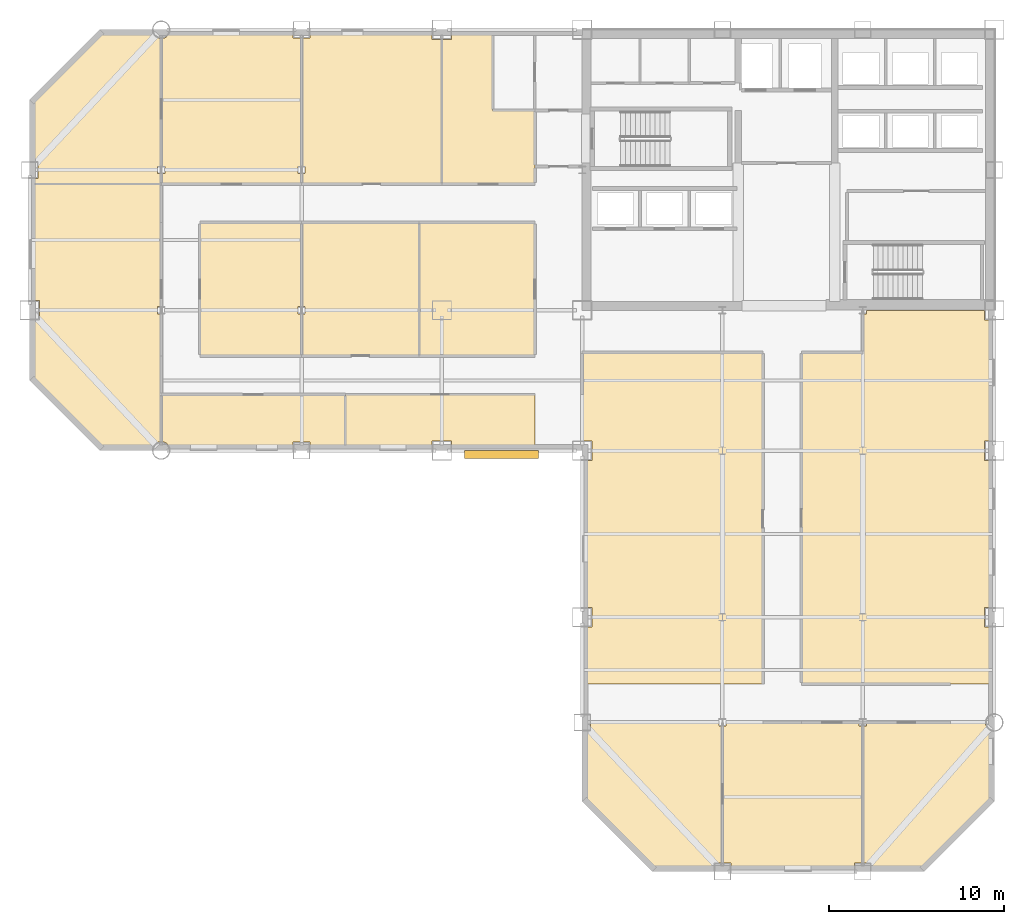
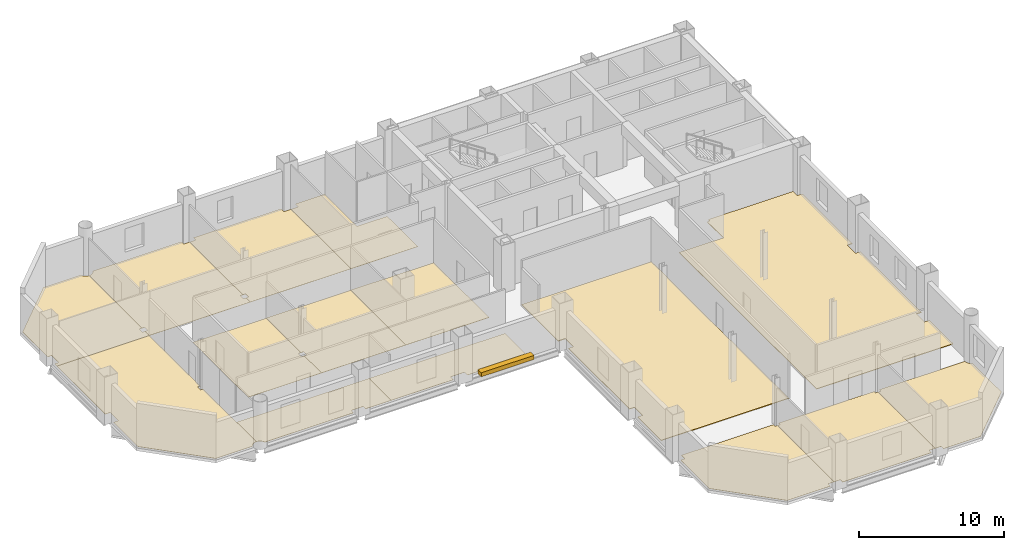
# One storey, part 9 of 10: 15 coverings, 1 shading device.
"""IFC4 building model written with IfcOpenShell, lengths in metres."""

from ifc_helpers import new_model, si_unit, direction, frame, origin, origin_2d, place, context, subcontext, project, spatial, polyline, rectangle, outline, extrude, material, layer, layer_set, type_object, element, save


model = new_model("IFC4")

# Units and contexts
model_context = context("Model", 3, precision=1e-05, world=origin(), true_north=direction((0.0, 1.0)))
body_context = subcontext(model_context, "Body", "Model", "MODEL_VIEW")
ifc_project = project(units=[si_unit("LENGTHUNIT", "METRE"), si_unit("AREAUNIT", "SQUARE_METRE"), si_unit("VOLUMEUNIT", "CUBIC_METRE"), si_unit("PLANEANGLEUNIT", "RADIAN"), si_unit("MASSUNIT", "GRAM", prefix="KILO")], contexts=[model_context])

# Site, building, storey
site_placement = place(None, origin())
site = spatial("IfcSite", under=ifc_project, at=site_placement, CompositionType="ELEMENT")
building_placement = place(site_placement, origin())
building = spatial("IfcBuilding", under=site, at=building_placement, Name="Qianrong Seaharbour Tower", CompositionType="ELEMENT")
storey_placement = place(building_placement, frame((0.0, 0.0, 139.0)))
storey = spatial("IfcBuildingStorey", under=building, at=storey_placement, Name="L33", CompositionType="ELEMENT", Elevation=139.0)

# Coverings
ifc_material_1 = material(Name="Acoustic modular carpet tile flooring")
ifc_layer_1 = layer(ifc_material_1, 0.02001953125)
ifc_layer_set_1 = layer_set([ifc_layer_1], Name="Acoustic modular carpet tile flooring")
covering_type_1 = type_object("IfcCoveringType", Name="COV-FLOOR-CARPET-20", PredefinedType="FLOORING", material=ifc_layer_set_1)
covering_1_placement = place(storey_placement, origin())
element("IfcCovering", 1, at=covering_1_placement, inside=storey, type_object=covering_type_1, Name="L33 Boardroom 1 Finish Flooring", PredefinedType="FLOORING", context=body_context, shape_type="SweptSolid", body=[
    extrude(outline(polyline([(9.1650390625, 43.514892578125), (9.485107421875, 43.514892578125), (9.485107421875, 44.485107421875), (9.1650390625, 44.485107421875), (9.1650390625, 47.931640625), (13.068359375, 51.8349609375), (16.019775390625, 51.8349609375), (16.02880859375, 51.8046875), (16.075927734375, 51.716796875), (16.139404296875, 51.639404296875), (16.216796875, 51.575927734375), (16.3046875, 51.52880859375), (16.400390625, 51.499755859375), (16.5, 51.489990234375), (16.5, 44.2099609375), (16.2900390625, 44.2099609375), (16.2900390625, 43.7900390625), (16.5, 43.7900390625), (16.5, 43.199951171875), (9.1650390625, 43.199951171875), (9.1650390625, 43.514892578125)])), origin(), (0.0, 0.0, 1.0), 0.02001953125),
])
covering_2_placement = place(storey_placement, origin())
element("IfcCovering", 2, at=covering_2_placement, inside=storey, type_object=covering_type_1, Name="L33 Meeting Room 2 Finish Flooring", PredefinedType="FLOORING", context=body_context, shape_type="SweptSolid", body=[
    extrude(outline(polyline([(16.5, 43.7900390625), (16.7099609375, 43.7900390625), (16.7099609375, 44.2099609375), (16.5, 44.2099609375), (16.5, 51.489990234375), (16.599609375, 51.499755859375), (16.6953125, 51.52880859375), (16.783203125, 51.575927734375), (16.860595703125, 51.639404296875), (16.924072265625, 51.716796875), (16.97119140625, 51.8046875), (16.980224609375, 51.8349609375), (24.014892578125, 51.8349609375), (24.014892578125, 51.514892578125), (24.5, 51.514892578125), (24.5, 44.2099609375), (24.2900390625, 44.2099609375), (24.2900390625, 43.7900390625), (24.5, 43.7900390625), (24.5, 43.199951171875), (16.5, 43.199951171875), (16.5, 43.7900390625)])), origin(), (0.0, 0.0, 1.0), 0.02001953125),
])
covering_3_placement = place(storey_placement, origin())
element("IfcCovering", 3, at=covering_3_placement, inside=storey, type_object=covering_type_1, Name="L33 Project Library 3 Finish Flooring", PredefinedType="FLOORING", context=body_context, shape_type="SweptSolid", body=[
    extrude(outline(polyline([(24.5, 43.7900390625), (24.7099609375, 43.7900390625), (24.7099609375, 44.2099609375), (24.5, 44.2099609375), (24.5, 51.514892578125), (24.985107421875, 51.514892578125), (24.985107421875, 51.8349609375), (31.93994140625, 51.8349609375), (31.93994140625, 51.43994140625), (32.5, 51.43994140625), (32.5, 43.199951171875), (24.5, 43.199951171875), (24.5, 43.7900390625)])), origin(), (0.0, 0.0, 1.0), 0.02001953125),
])
covering_4_placement = place(storey_placement, origin())
element("IfcCovering", 4, at=covering_4_placement, inside=storey, type_object=covering_type_1, Name="L33 Training Seminar Room 4 Finish Flooring", PredefinedType="FLOORING", context=body_context, shape_type="SweptSolid", body=[
    extrude(outline(polyline([(32.5, 51.43994140625), (33.06005859375, 51.43994140625), (33.06005859375, 51.8349609375), (35.39990234375, 51.8349609375), (35.39990234375, 47.39990234375), (37.800048828125, 47.39990234375), (37.800048828125, 43.199951171875), (32.5, 43.199951171875), (32.5, 51.43994140625)])), origin(), (0.0, 0.0, 1.0), 0.02001953125),
])
covering_5_placement = place(storey_placement, origin())
element("IfcCovering", 5, at=covering_5_placement, inside=storey, type_object=covering_type_1, Name="L33 Conference Room 1 Finish Flooring", PredefinedType="FLOORING", context=body_context, shape_type="SweptSolid", body=[
    extrude(outline(polyline([(24.5, 41.0), (24.5, 36.2099609375), (24.2900390625, 36.2099609375), (24.2900390625, 35.7900390625), (24.5, 35.7900390625), (24.5, 33.39990234375), (18.699951171875, 33.39990234375), (18.699951171875, 41.0), (24.5, 41.0)])), origin(), (0.0, 0.0, 1.0), 0.02001953125),
])
covering_6_placement = place(storey_placement, origin())
element("IfcCovering", 6, at=covering_6_placement, inside=storey, type_object=covering_type_1, Name="L33 Project Library 2 Finish Flooring", PredefinedType="FLOORING", context=body_context, shape_type="SweptSolid", body=[
    extrude(outline(polyline([(31.199951171875, 41.0), (31.199951171875, 33.39990234375), (24.5, 33.39990234375), (24.5, 35.7900390625), (24.7099609375, 35.7900390625), (24.7099609375, 36.2099609375), (24.5, 36.2099609375), (24.5, 41.0), (31.199951171875, 41.0)])), origin(), (0.0, 0.0, 1.0), 0.02001953125),
])
covering_7_placement = place(storey_placement, origin())
element("IfcCovering", 7, at=covering_7_placement, inside=storey, type_object=covering_type_1, Name="L33 Briefing Room 3 Finish Flooring", PredefinedType="FLOORING", context=body_context, shape_type="SweptSolid", body=[
    extrude(outline(polyline([(37.800048828125, 41.0), (37.800048828125, 33.39990234375), (31.199951171875, 33.39990234375), (31.199951171875, 41.0), (37.800048828125, 41.0)])), origin(), (0.0, 0.0, 1.0), 0.02001953125),
])
covering_8_placement = place(storey_placement, origin())
element("IfcCovering", 8, at=covering_8_placement, inside=storey, type_object=covering_type_1, Name="L33 West Harbour Lecture Hall Finish Flooring", PredefinedType="FLOORING", context=body_context, shape_type="SweptSolid", body=[
    extrude(outline(polyline([(13.068359375, 28.1650390625), (9.1650390625, 32.068359375), (9.1650390625, 35.43994140625), (9.56005859375, 35.43994140625), (9.56005859375, 36.56005859375), (9.1650390625, 36.56005859375), (9.1650390625, 43.199951171875), (16.5, 43.199951171875), (16.5, 36.2099609375), (16.2900390625, 36.2099609375), (16.2900390625, 35.7900390625), (16.5, 35.7900390625), (16.5, 28.510009765625), (16.400390625, 28.500244140625), (16.3046875, 28.47119140625), (16.216796875, 28.424072265625), (16.139404296875, 28.360595703125), (16.075927734375, 28.283203125), (16.02880859375, 28.1953125), (16.019775390625, 28.1650390625), (13.068359375, 28.1650390625)])), origin(), (0.0, 0.0, 1.0), 0.02001953125),
])
covering_9_placement = place(storey_placement, origin())
element("IfcCovering", 9, at=covering_9_placement, inside=storey, type_object=covering_type_1, Name="L33 Meeting Room 1 Finish Flooring", PredefinedType="FLOORING", context=body_context, shape_type="SweptSolid", body=[
    extrude(outline(polyline([(27.0, 28.1650390625), (24.985107421875, 28.1650390625), (24.985107421875, 28.485107421875), (24.014892578125, 28.485107421875), (24.014892578125, 28.1650390625), (16.980224609375, 28.1650390625), (16.97119140625, 28.1953125), (16.924072265625, 28.283203125), (16.860595703125, 28.360595703125), (16.783203125, 28.424072265625), (16.6953125, 28.47119140625), (16.599609375, 28.500244140625), (16.5, 28.510009765625), (16.5, 31.199951171875), (27.0, 31.199951171875), (27.0, 28.1650390625)])), origin(), (0.0, 0.0, 1.0), 0.02001953125),
])
covering_10_placement = place(storey_placement, origin())
element("IfcCovering", 10, at=covering_10_placement, inside=storey, type_object=covering_type_1, Name="L33 Wet Pantry 2 Finish Flooring", PredefinedType="FLOORING", context=body_context, shape_type="SweptSolid", body=[
    extrude(outline(polyline([(37.800048828125, 28.1650390625), (33.06005859375, 28.1650390625), (33.06005859375, 28.56005859375), (31.93994140625, 28.56005859375), (31.93994140625, 28.1650390625), (27.0, 28.1650390625), (27.0, 31.199951171875), (37.800048828125, 31.199951171875), (37.800048828125, 28.1650390625)])), origin(), (0.0, 0.0, 1.0), 0.02001953125),
])
covering_11_placement = place(storey_placement, origin())
element("IfcCovering", 11, at=covering_11_placement, inside=storey, type_object=covering_type_1, Name="L33 Maritime Seminar Room 1 Finish Flooring", PredefinedType="FLOORING", context=body_context, shape_type="SweptSolid", body=[
    extrude(outline(polyline([(44.568359375, 4.1650390625), (40.6650390625, 8.068359375), (40.6650390625, 12.014892578125), (40.985107421875, 12.014892578125), (40.985107421875, 12.5), (48.2900390625, 12.5), (48.2900390625, 12.2900390625), (48.5, 12.2900390625), (48.5, 4.485107421875), (48.014892578125, 4.485107421875), (48.014892578125, 4.1650390625), (44.568359375, 4.1650390625)])), origin(), (0.0, 0.0, 1.0), 0.02001953125),
])
covering_12_placement = place(storey_placement, origin())
element("IfcCovering", 12, at=covering_12_placement, inside=storey, type_object=covering_type_1, Name="L33 Meeting Room 2 Finish Flooring", PredefinedType="FLOORING", context=body_context, shape_type="SweptSolid", body=[
    extrude(outline(polyline([(56.5, 4.485107421875), (56.014892578125, 4.485107421875), (56.014892578125, 4.1650390625), (48.985107421875, 4.1650390625), (48.985107421875, 4.485107421875), (48.5, 4.485107421875), (48.5, 12.2900390625), (48.7099609375, 12.2900390625), (48.7099609375, 12.5), (56.2900390625, 12.5), (56.2900390625, 12.2900390625), (56.5, 12.2900390625), (56.5, 4.485107421875)])), origin(), (0.0, 0.0, 1.0), 0.02001953125),
])
covering_13_placement = place(storey_placement, origin())
element("IfcCovering", 13, at=covering_13_placement, inside=storey, type_object=covering_type_1, Name="L33 Standards Library 3 Finish Flooring", PredefinedType="FLOORING", context=body_context, shape_type="SweptSolid", body=[
    extrude(outline(polyline([(63.8349609375, 8.068359375), (59.931640625, 4.1650390625), (56.985107421875, 4.1650390625), (56.985107421875, 4.485107421875), (56.5, 4.485107421875), (56.5, 12.2900390625), (56.7099609375, 12.2900390625), (56.7099609375, 12.5), (63.489990234375, 12.5), (63.499755859375, 12.400390625), (63.52880859375, 12.3046875), (63.575927734375, 12.216796875), (63.639404296875, 12.139404296875), (63.716796875, 12.075927734375), (63.8046875, 12.02880859375), (63.8349609375, 12.019775390625), (63.8349609375, 8.068359375)])), origin(), (0.0, 0.0, 1.0), 0.02001953125),
])
ifc_material_2 = material(Name="Calcium-sulphate raised access floor tile")
ifc_layer_2 = layer(ifc_material_2, 0.044921875)
ifc_layer_set_2 = layer_set([ifc_layer_2], Name="Calcium-sulphate raised access floor tile")
covering_type_2 = type_object("IfcCoveringType", Name="COV-FLOOR-RAISED-45", PredefinedType="FLOORING", material=ifc_layer_set_2)
covering_14_placement = place(storey_placement, origin())
element("IfcCovering", 14, at=covering_14_placement, inside=storey, type_object=covering_type_2, Name="L33 South Wing Open-Plan Office Finish Flooring", PredefinedType="FLOORING", context=body_context, shape_type="SweptSolid", body=[
    extrude(outline(polyline([(56.5, 33.60009765625), (56.5, 35.7900390625), (56.7099609375, 35.7900390625), (56.7099609375, 36.0), (63.43994140625, 36.0), (63.43994140625, 35.43994140625), (63.8349609375, 35.43994140625), (63.8349609375, 28.56005859375), (63.43994140625, 28.56005859375), (63.43994140625, 27.43994140625), (63.8349609375, 27.43994140625), (63.8349609375, 19.06005859375), (63.43994140625, 19.06005859375), (63.43994140625, 17.93994140625), (63.8349609375, 17.93994140625), (63.8349609375, 14.699951171875), (53.0, 14.699951171875), (53.0, 33.60009765625), (56.5, 33.60009765625)])), origin(), (0.0, 0.0, 1.0), 0.044921875),
])
covering_15_placement = place(storey_placement, origin())
element("IfcCovering", 15, at=covering_15_placement, inside=storey, type_object=covering_type_2, Name="L33 West Spine Open-Plan Office Finish Flooring", PredefinedType="FLOORING", context=body_context, shape_type="SweptSolid", body=[
    extrude(outline(polyline([(50.800048828125, 14.699951171875), (40.6650390625, 14.699951171875), (40.6650390625, 17.93994140625), (41.06005859375, 17.93994140625), (41.06005859375, 19.06005859375), (40.6650390625, 19.06005859375), (40.6650390625, 27.43994140625), (41.06005859375, 27.43994140625), (41.06005859375, 28.56005859375), (40.5, 28.56005859375), (40.5, 33.60009765625), (50.800048828125, 33.60009765625), (50.800048828125, 14.699951171875)])), origin(), (0.0, 0.0, 1.0), 0.044921875),
])

# Shading device
ifc_material_3 = material(Name="White architectural precast concrete C45/55", Category="concrete")
shading_device_type = type_object("IfcShadingDeviceType", Name="SHD-SUNSHADE-WHITE-320", PredefinedType="AWNING", material=ifc_material_3)
shading_device_placement = place(storey_placement, frame((35.89990234375, 27.780029296875, -0.02001953125), z_axis=(0.0, 0.0, 1.0), x_axis=(1.0, 0.0, 0.0)))
element("IfcShadingDevice", 16, at=shading_device_placement, inside=storey, type_object=shading_device_type, Name="L33 Climbing White Precast Ribbon Canopy Fin", PredefinedType="AWNING", context=body_context, shape_type="SweptSolid", body=[
    extrude(rectangle(XDim=4.199951171875, YDim=0.4599609375, at=origin_2d()), origin(), (0.0, 0.0, 1.0), 0.340087890625),
])

save(model, "model.ifc")
